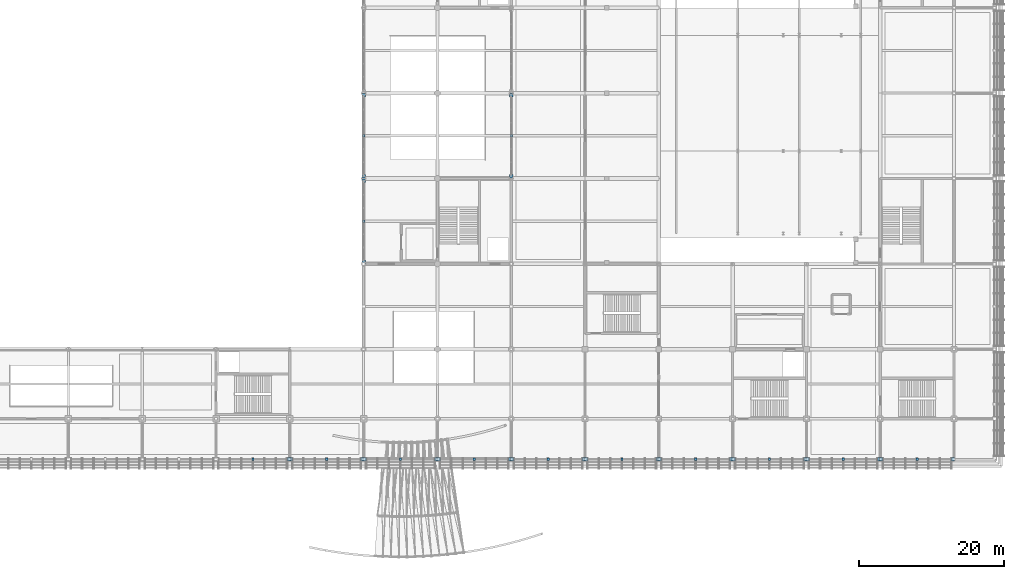
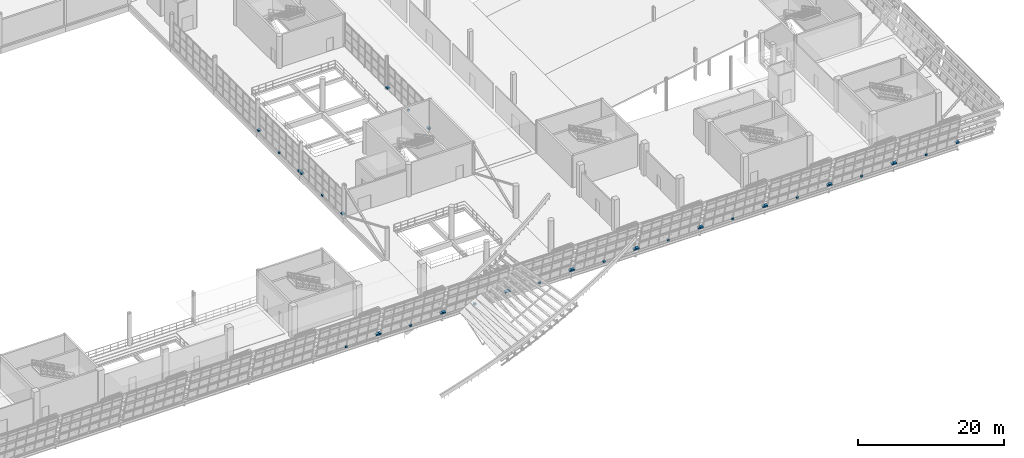
# One storey, part 146 of 175: 38 discrete accessories.
"""IFC4 building model written with IfcOpenShell, lengths in metres."""

from ifc_helpers import new_model, si_unit, direction, frame, origin, origin_2d, place, context, subcontext, project, spatial, rectangle, extrude, material, type_object, element, save


model = new_model("IFC4")

# Units and contexts
model_context = context("Model", 3, precision=1e-05, world=origin(), true_north=direction((0.0, 1.0)))
body_context = subcontext(model_context, "Body", "Model", "MODEL_VIEW")
ifc_project = project(units=[si_unit("LENGTHUNIT", "METRE"), si_unit("AREAUNIT", "SQUARE_METRE"), si_unit("VOLUMEUNIT", "CUBIC_METRE"), si_unit("PLANEANGLEUNIT", "RADIAN"), si_unit("MASSUNIT", "GRAM", prefix="KILO")], contexts=[model_context])

# Site, building, storey
site_placement = place(None, origin())
site = spatial("IfcSite", under=ifc_project, at=site_placement, CompositionType="ELEMENT")
building_placement = place(site_placement, origin())
building = spatial("IfcBuilding", under=site, at=building_placement, Name="Brelvane Convention Centre", CompositionType="ELEMENT")
storey_placement = place(building_placement, frame((0.0, 0.0, 5.39990234375)))
storey = spatial("IfcBuildingStorey", under=building, at=storey_placement, Name="L01", CompositionType="ELEMENT", Elevation=5.39990234375)

# Discrete accessories
ifc_material = material(Name="Steel E350 (350 MPa)", Category="steel")
discrete_accessory_type = type_object("IfcDiscreteAccessoryType", Name="Facade Outrigger Bracket BRK-02", PredefinedType="BRACKET", material=ifc_material)
discrete_accessory_1_placement = place(storey_placement, frame((132.43994140625, 13.60009765625, 0.22998046875), z_axis=(0.0, 0.0, 1.0), x_axis=(1.0, 0.0, 0.0)))
element("IfcDiscreteAccessory", 1, at=discrete_accessory_1_placement, inside=storey, type_object=discrete_accessory_type, Name="Curtain Wall Anchor Bracket L01-HULL-S-L01-13-R", PredefinedType="BRACKET", context=body_context, shape_type="SweptSolid", body=[
    extrude(rectangle(XDim=0.47998046875, YDim=0.47998046875, at=origin_2d()), origin(), (0.0, 0.0, 1.0), 0.239990234375),
])
discrete_accessory_2_placement = place(storey_placement, frame((127.5, 13.60009765625, -0.14013671875), z_axis=(0.0, 0.0, 1.0), x_axis=(1.0, 0.0, 0.0)))
element("IfcDiscreteAccessory", 2, at=discrete_accessory_2_placement, inside=storey, type_object=discrete_accessory_type, Name="Curtain Wall Anchor Bracket L01-HULL-S-L01-13-B", PredefinedType="BRACKET", context=body_context, shape_type="SweptSolid", body=[
    extrude(rectangle(XDim=0.320068359375, YDim=0.320068359375, at=origin_2d()), origin(), (0.0, 0.0, 1.0), 0.280029296875),
])
for number, where, z_axis, x_axis, name in (
    (3, (132.760009765625, 13.60009765625, 0.22998046875), (0.0, 0.0, 1.0), (1.0, 0.0, 0.0), "Curtain Wall Anchor Bracket L01-HULL-S-L01-14-L"),
    (4, (142.639892578125, 13.60009765625, 0.22998046875), (0.0, 0.0, 1.0), (1.0, 0.0, 0.0), "Curtain Wall Anchor Bracket L01-HULL-S-L01-14-R"),
):
    element("IfcDiscreteAccessory", number, at=place(storey_placement, frame(where, z_axis=z_axis, x_axis=x_axis)), inside=storey, type_object=discrete_accessory_type, Name=name, PredefinedType="BRACKET", context=body_context, shape_type="SweptSolid", body=[
        extrude(rectangle(XDim=0.47998046875, YDim=0.47998046875, at=origin_2d()), origin(), (0.0, 0.0, 1.0), 0.239990234375),
    ])
discrete_accessory_3_placement = place(storey_placement, frame((137.699951171875, 13.60009765625, -0.14013671875), z_axis=(0.0, 0.0, 1.0), x_axis=(1.0, 0.0, 0.0)))
element("IfcDiscreteAccessory", 5, at=discrete_accessory_3_placement, inside=storey, type_object=discrete_accessory_type, Name="Curtain Wall Anchor Bracket L01-HULL-S-L01-14-B", PredefinedType="BRACKET", context=body_context, shape_type="SweptSolid", body=[
    extrude(rectangle(XDim=0.320068359375, YDim=0.320068359375, at=origin_2d()), origin(), (0.0, 0.0, 1.0), 0.280029296875),
])
for number, where, z_axis, x_axis, name in (
    (6, (142.9599609375, 13.60009765625, 0.22998046875), (0.0, 0.0, 1.0), (1.0, 0.0, 0.0), "Curtain Wall Anchor Bracket L01-HULL-S-L01-15-L"),
    (7, (152.840087890625, 13.60009765625, 0.22998046875), (0.0, 0.0, 1.0), (1.0, 0.0, 0.0), "Curtain Wall Anchor Bracket L01-HULL-S-L01-15-R"),
):
    element("IfcDiscreteAccessory", number, at=place(storey_placement, frame(where, z_axis=z_axis, x_axis=x_axis)), inside=storey, type_object=discrete_accessory_type, Name=name, PredefinedType="BRACKET", context=body_context, shape_type="SweptSolid", body=[
        extrude(rectangle(XDim=0.47998046875, YDim=0.47998046875, at=origin_2d()), origin(), (0.0, 0.0, 1.0), 0.239990234375),
    ])
discrete_accessory_4_placement = place(storey_placement, frame((147.89990234375, 13.60009765625, -0.14013671875), z_axis=(0.0, 0.0, 1.0), x_axis=(1.0, 0.0, 0.0)))
element("IfcDiscreteAccessory", 8, at=discrete_accessory_4_placement, inside=storey, type_object=discrete_accessory_type, Name="Curtain Wall Anchor Bracket L01-HULL-S-L01-15-B", PredefinedType="BRACKET", context=body_context, shape_type="SweptSolid", body=[
    extrude(rectangle(XDim=0.320068359375, YDim=0.320068359375, at=origin_2d()), origin(), (0.0, 0.0, 1.0), 0.280029296875),
])
for number, where, z_axis, x_axis, name in (
    (9, (153.159912109375, 13.60009765625, 0.22998046875), (0.0, 0.0, 1.0), (1.0, 0.0, 0.0), "Curtain Wall Anchor Bracket L01-HULL-S-L01-16-L"),
    (10, (163.0400390625, 13.60009765625, 0.22998046875), (0.0, 0.0, 1.0), (1.0, 0.0, 0.0), "Curtain Wall Anchor Bracket L01-HULL-S-L01-16-R"),
):
    element("IfcDiscreteAccessory", number, at=place(storey_placement, frame(where, z_axis=z_axis, x_axis=x_axis)), inside=storey, type_object=discrete_accessory_type, Name=name, PredefinedType="BRACKET", context=body_context, shape_type="SweptSolid", body=[
        extrude(rectangle(XDim=0.47998046875, YDim=0.47998046875, at=origin_2d()), origin(), (0.0, 0.0, 1.0), 0.239990234375),
    ])
discrete_accessory_5_placement = place(storey_placement, frame((158.10009765625, 13.60009765625, -0.14013671875), z_axis=(0.0, 0.0, 1.0), x_axis=(1.0, 0.0, 0.0)))
element("IfcDiscreteAccessory", 11, at=discrete_accessory_5_placement, inside=storey, type_object=discrete_accessory_type, Name="Curtain Wall Anchor Bracket L01-HULL-S-L01-16-B", PredefinedType="BRACKET", context=body_context, shape_type="SweptSolid", body=[
    extrude(rectangle(XDim=0.320068359375, YDim=0.320068359375, at=origin_2d()), origin(), (0.0, 0.0, 1.0), 0.280029296875),
])
for number, where, z_axis, x_axis, name in (
    (12, (163.360107421875, 13.60009765625, 0.22998046875), (0.0, 0.0, 1.0), (1.0, 0.0, 0.0), "Curtain Wall Anchor Bracket L01-HULL-S-L01-17-L"),
    (13, (173.239990234375, 13.60009765625, 0.22998046875), (0.0, 0.0, 1.0), (1.0, 0.0, 0.0), "Curtain Wall Anchor Bracket L01-HULL-S-L01-17-R"),
):
    element("IfcDiscreteAccessory", number, at=place(storey_placement, frame(where, z_axis=z_axis, x_axis=x_axis)), inside=storey, type_object=discrete_accessory_type, Name=name, PredefinedType="BRACKET", context=body_context, shape_type="SweptSolid", body=[
        extrude(rectangle(XDim=0.47998046875, YDim=0.47998046875, at=origin_2d()), origin(), (0.0, 0.0, 1.0), 0.239990234375),
    ])
discrete_accessory_6_placement = place(storey_placement, frame((168.300048828125, 13.60009765625, -0.14013671875), z_axis=(0.0, 0.0, 1.0), x_axis=(1.0, 0.0, 0.0)))
element("IfcDiscreteAccessory", 14, at=discrete_accessory_6_placement, inside=storey, type_object=discrete_accessory_type, Name="Curtain Wall Anchor Bracket L01-HULL-S-L01-17-B", PredefinedType="BRACKET", context=body_context, shape_type="SweptSolid", body=[
    extrude(rectangle(XDim=0.320068359375, YDim=0.320068359375, at=origin_2d()), origin(), (0.0, 0.0, 1.0), 0.280029296875),
])
for number, where, z_axis, x_axis, name in (
    (15, (173.56005859375, 13.60009765625, 0.22998046875), (0.0, 0.0, 1.0), (1.0, 0.0, 0.0), "Curtain Wall Anchor Bracket L01-HULL-S-L01-18-L"),
    (16, (183.43994140625, 13.60009765625, 0.22998046875), (0.0, 0.0, 1.0), (1.0, 0.0, 0.0), "Curtain Wall Anchor Bracket L01-HULL-S-L01-18-R"),
):
    element("IfcDiscreteAccessory", number, at=place(storey_placement, frame(where, z_axis=z_axis, x_axis=x_axis)), inside=storey, type_object=discrete_accessory_type, Name=name, PredefinedType="BRACKET", context=body_context, shape_type="SweptSolid", body=[
        extrude(rectangle(XDim=0.47998046875, YDim=0.47998046875, at=origin_2d()), origin(), (0.0, 0.0, 1.0), 0.239990234375),
    ])
discrete_accessory_7_placement = place(storey_placement, frame((178.5, 13.60009765625, -0.14013671875), z_axis=(0.0, 0.0, 1.0), x_axis=(1.0, 0.0, 0.0)))
element("IfcDiscreteAccessory", 17, at=discrete_accessory_7_placement, inside=storey, type_object=discrete_accessory_type, Name="Curtain Wall Anchor Bracket L01-HULL-S-L01-18-B", PredefinedType="BRACKET", context=body_context, shape_type="SweptSolid", body=[
    extrude(rectangle(XDim=0.320068359375, YDim=0.320068359375, at=origin_2d()), origin(), (0.0, 0.0, 1.0), 0.280029296875),
])
for number, where, z_axis, x_axis, name in (
    (18, (183.760009765625, 13.60009765625, 0.22998046875), (0.0, 0.0, 1.0), (1.0, 0.0, 0.0), "Curtain Wall Anchor Bracket L01-HULL-S-L01-19-L"),
    (19, (193.639892578125, 13.60009765625, 0.22998046875), (0.0, 0.0, 1.0), (1.0, 0.0, 0.0), "Curtain Wall Anchor Bracket L01-HULL-S-L01-19-R"),
):
    element("IfcDiscreteAccessory", number, at=place(storey_placement, frame(where, z_axis=z_axis, x_axis=x_axis)), inside=storey, type_object=discrete_accessory_type, Name=name, PredefinedType="BRACKET", context=body_context, shape_type="SweptSolid", body=[
        extrude(rectangle(XDim=0.47998046875, YDim=0.47998046875, at=origin_2d()), origin(), (0.0, 0.0, 1.0), 0.239990234375),
    ])
discrete_accessory_8_placement = place(storey_placement, frame((188.699951171875, 13.60009765625, -0.14013671875), z_axis=(0.0, 0.0, 1.0), x_axis=(1.0, 0.0, 0.0)))
element("IfcDiscreteAccessory", 20, at=discrete_accessory_8_placement, inside=storey, type_object=discrete_accessory_type, Name="Curtain Wall Anchor Bracket L01-HULL-S-L01-19-B", PredefinedType="BRACKET", context=body_context, shape_type="SweptSolid", body=[
    extrude(rectangle(XDim=0.320068359375, YDim=0.320068359375, at=origin_2d()), origin(), (0.0, 0.0, 1.0), 0.280029296875),
])
for number, where, z_axis, x_axis, name in (
    (21, (193.9599609375, 13.60009765625, 0.22998046875), (0.0, 0.0, 1.0), (1.0, 0.0, 0.0), "Curtain Wall Anchor Bracket L01-HULL-S-L01-20-L"),
    (22, (203.840087890625, 13.60009765625, 0.22998046875), (0.0, 0.0, 1.0), (1.0, 0.0, 0.0), "Curtain Wall Anchor Bracket L01-HULL-S-L01-20-R"),
):
    element("IfcDiscreteAccessory", number, at=place(storey_placement, frame(where, z_axis=z_axis, x_axis=x_axis)), inside=storey, type_object=discrete_accessory_type, Name=name, PredefinedType="BRACKET", context=body_context, shape_type="SweptSolid", body=[
        extrude(rectangle(XDim=0.47998046875, YDim=0.47998046875, at=origin_2d()), origin(), (0.0, 0.0, 1.0), 0.239990234375),
    ])
discrete_accessory_9_placement = place(storey_placement, frame((198.89990234375, 13.60009765625, -0.14013671875), z_axis=(0.0, 0.0, 1.0), x_axis=(1.0, 0.0, 0.0)))
element("IfcDiscreteAccessory", 23, at=discrete_accessory_9_placement, inside=storey, type_object=discrete_accessory_type, Name="Curtain Wall Anchor Bracket L01-HULL-S-L01-20-B", PredefinedType="BRACKET", context=body_context, shape_type="SweptSolid", body=[
    extrude(rectangle(XDim=0.320068359375, YDim=0.320068359375, at=origin_2d()), origin(), (0.0, 0.0, 1.0), 0.280029296875),
])
for number, where, z_axis, x_axis, name in (
    (24, (204.159912109375, 13.60009765625, 0.22998046875), (0.0, 0.0, 1.0), (1.0, 0.0, 0.0), "Curtain Wall Anchor Bracket L01-HULL-S-L01-21-L"),
    (25, (214.0400390625, 13.60009765625, 0.22998046875), (0.0, 0.0, 1.0), (1.0, 0.0, 0.0), "Curtain Wall Anchor Bracket L01-HULL-S-L01-21-R"),
):
    element("IfcDiscreteAccessory", number, at=place(storey_placement, frame(where, z_axis=z_axis, x_axis=x_axis)), inside=storey, type_object=discrete_accessory_type, Name=name, PredefinedType="BRACKET", context=body_context, shape_type="SweptSolid", body=[
        extrude(rectangle(XDim=0.47998046875, YDim=0.47998046875, at=origin_2d()), origin(), (0.0, 0.0, 1.0), 0.239990234375),
    ])
discrete_accessory_10_placement = place(storey_placement, frame((209.10009765625, 13.60009765625, -0.14013671875), z_axis=(0.0, 0.0, 1.0), x_axis=(1.0, 0.0, 0.0)))
element("IfcDiscreteAccessory", 26, at=discrete_accessory_10_placement, inside=storey, type_object=discrete_accessory_type, Name="Curtain Wall Anchor Bracket L01-HULL-S-L01-21-B", PredefinedType="BRACKET", context=body_context, shape_type="SweptSolid", body=[
    extrude(rectangle(XDim=0.320068359375, YDim=0.320068359375, at=origin_2d()), origin(), (0.0, 0.0, 1.0), 0.280029296875),
])
for number, where, z_axis, x_axis, name in (
    (27, (214.360107421875, 13.60009765625, 0.22998046875), (0.0, 0.0, 1.0), (1.0, 0.0, 0.0), "Curtain Wall Anchor Bracket L01-HULL-S-L01-22-L"),
    (28, (224.239990234375, 13.60009765625, 0.22998046875), (0.0, 0.0, 1.0), (1.0, 0.0, 0.0), "Curtain Wall Anchor Bracket L01-HULL-S-L01-22-R"),
):
    element("IfcDiscreteAccessory", number, at=place(storey_placement, frame(where, z_axis=z_axis, x_axis=x_axis)), inside=storey, type_object=discrete_accessory_type, Name=name, PredefinedType="BRACKET", context=body_context, shape_type="SweptSolid", body=[
        extrude(rectangle(XDim=0.47998046875, YDim=0.47998046875, at=origin_2d()), origin(), (0.0, 0.0, 1.0), 0.239990234375),
    ])
discrete_accessory_11_placement = place(storey_placement, frame((219.300048828125, 13.60009765625, -0.14013671875), z_axis=(0.0, 0.0, 1.0), x_axis=(1.0, 0.0, 0.0)))
element("IfcDiscreteAccessory", 29, at=discrete_accessory_11_placement, inside=storey, type_object=discrete_accessory_type, Name="Curtain Wall Anchor Bracket L01-HULL-S-L01-22-B", PredefinedType="BRACKET", context=body_context, shape_type="SweptSolid", body=[
    extrude(rectangle(XDim=0.320068359375, YDim=0.320068359375, at=origin_2d()), origin(), (0.0, 0.0, 1.0), 0.280029296875),
])
for number, where, z_axis, x_axis, name in (
    (30, (142.800048828125, 40.889892578125, 0.22998046875), (0.0, 0.0, 1.0), (1.0, 0.0, 0.0), "Curtain Wall Anchor Bracket L01-GAL-ATRIUM-W-1-L"),
    (31, (142.800048828125, 52.110107421875, 0.22998046875), (0.0, 0.0, 1.0), (1.0, 0.0, 0.0), "Curtain Wall Anchor Bracket L01-GAL-ATRIUM-W-1-R"),
):
    element("IfcDiscreteAccessory", number, at=place(storey_placement, frame(where, z_axis=z_axis, x_axis=x_axis)), inside=storey, type_object=discrete_accessory_type, Name=name, PredefinedType="BRACKET", context=body_context, shape_type="SweptSolid", body=[
        extrude(rectangle(XDim=0.47998046875, YDim=0.47998046875, at=origin_2d()), origin(), (0.0, 0.0, 1.0), 0.239990234375),
    ])
discrete_accessory_12_placement = place(storey_placement, frame((142.800048828125, 46.5, -0.14013671875), z_axis=(0.0, 0.0, 1.0), x_axis=(1.0, 0.0, 0.0)))
element("IfcDiscreteAccessory", 32, at=discrete_accessory_12_placement, inside=storey, type_object=discrete_accessory_type, Name="Curtain Wall Anchor Bracket L01-GAL-ATRIUM-W-1-B", PredefinedType="BRACKET", context=body_context, shape_type="SweptSolid", body=[
    extrude(rectangle(XDim=0.320068359375, YDim=0.320068359375, at=origin_2d()), origin(), (0.0, 0.0, 1.0), 0.280029296875),
])
for number, where, z_axis, x_axis, name in (
    (33, (142.800048828125, 52.68994140625, 0.22998046875), (0.0, 0.0, 1.0), (1.0, 0.0, 0.0), "Curtain Wall Anchor Bracket L01-GAL-ATRIUM-W-2-L"),
    (34, (142.800048828125, 63.909912109375, 0.22998046875), (0.0, 0.0, 1.0), (1.0, 0.0, 0.0), "Curtain Wall Anchor Bracket L01-GAL-ATRIUM-W-2-R"),
):
    element("IfcDiscreteAccessory", number, at=place(storey_placement, frame(where, z_axis=z_axis, x_axis=x_axis)), inside=storey, type_object=discrete_accessory_type, Name=name, PredefinedType="BRACKET", context=body_context, shape_type="SweptSolid", body=[
        extrude(rectangle(XDim=0.47998046875, YDim=0.47998046875, at=origin_2d()), origin(), (0.0, 0.0, 1.0), 0.239990234375),
    ])
discrete_accessory_13_placement = place(storey_placement, frame((142.800048828125, 58.300048828125, -0.14013671875), z_axis=(0.0, 0.0, 1.0), x_axis=(1.0, 0.0, 0.0)))
element("IfcDiscreteAccessory", 35, at=discrete_accessory_13_placement, inside=storey, type_object=discrete_accessory_type, Name="Curtain Wall Anchor Bracket L01-GAL-ATRIUM-W-2-B", PredefinedType="BRACKET", context=body_context, shape_type="SweptSolid", body=[
    extrude(rectangle(XDim=0.320068359375, YDim=0.320068359375, at=origin_2d()), origin(), (0.0, 0.0, 1.0), 0.280029296875),
])
for number, where, z_axis, x_axis, name in (
    (36, (163.199951171875, 52.68994140625, 0.22998046875), (0.0, 0.0, 1.0), (1.0, 0.0, 0.0), "Curtain Wall Anchor Bracket L01-GAL-ATRIUM-E-2-L"),
    (37, (163.199951171875, 63.909912109375, 0.22998046875), (0.0, 0.0, 1.0), (1.0, 0.0, 0.0), "Curtain Wall Anchor Bracket L01-GAL-ATRIUM-E-2-R"),
):
    element("IfcDiscreteAccessory", number, at=place(storey_placement, frame(where, z_axis=z_axis, x_axis=x_axis)), inside=storey, type_object=discrete_accessory_type, Name=name, PredefinedType="BRACKET", context=body_context, shape_type="SweptSolid", body=[
        extrude(rectangle(XDim=0.47998046875, YDim=0.47998046875, at=origin_2d()), origin(), (0.0, 0.0, 1.0), 0.239990234375),
    ])
discrete_accessory_14_placement = place(storey_placement, frame((163.199951171875, 58.300048828125, -0.14013671875), z_axis=(0.0, 0.0, 1.0), x_axis=(1.0, 0.0, 0.0)))
element("IfcDiscreteAccessory", 38, at=discrete_accessory_14_placement, inside=storey, type_object=discrete_accessory_type, Name="Curtain Wall Anchor Bracket L01-GAL-ATRIUM-E-2-B", PredefinedType="BRACKET", context=body_context, shape_type="SweptSolid", body=[
    extrude(rectangle(XDim=0.320068359375, YDim=0.320068359375, at=origin_2d()), origin(), (0.0, 0.0, 1.0), 0.280029296875),
])

save(model, "model.ifc")
